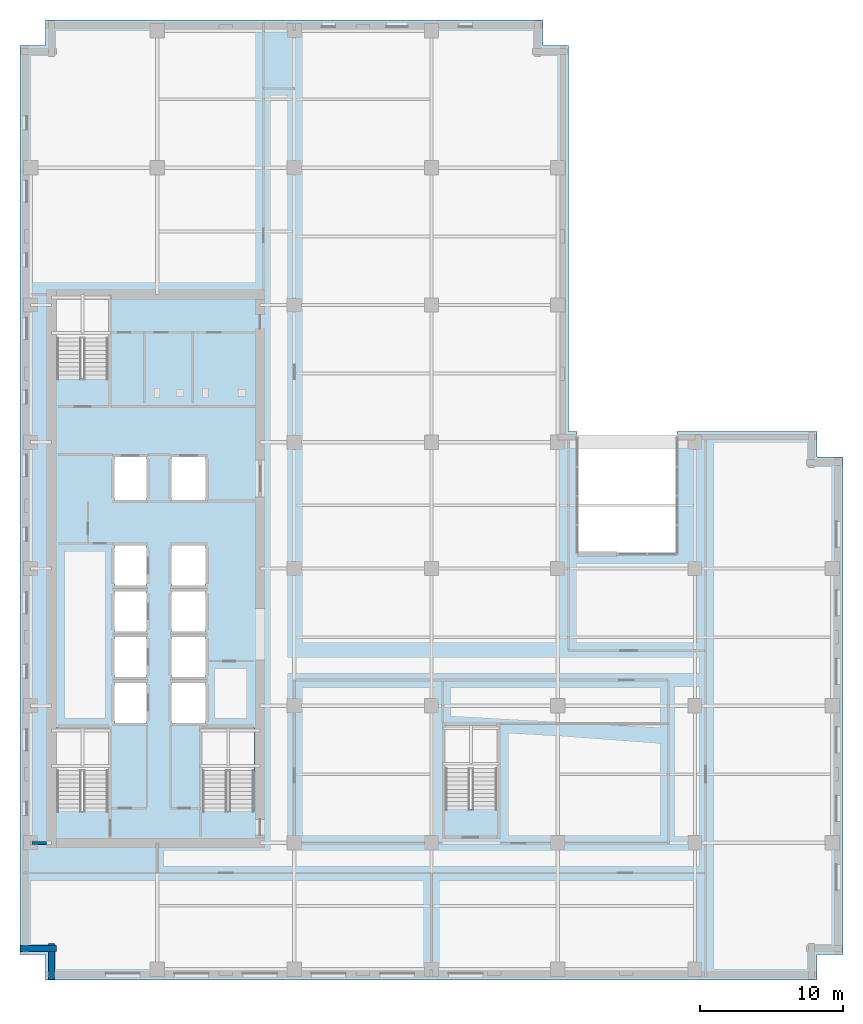
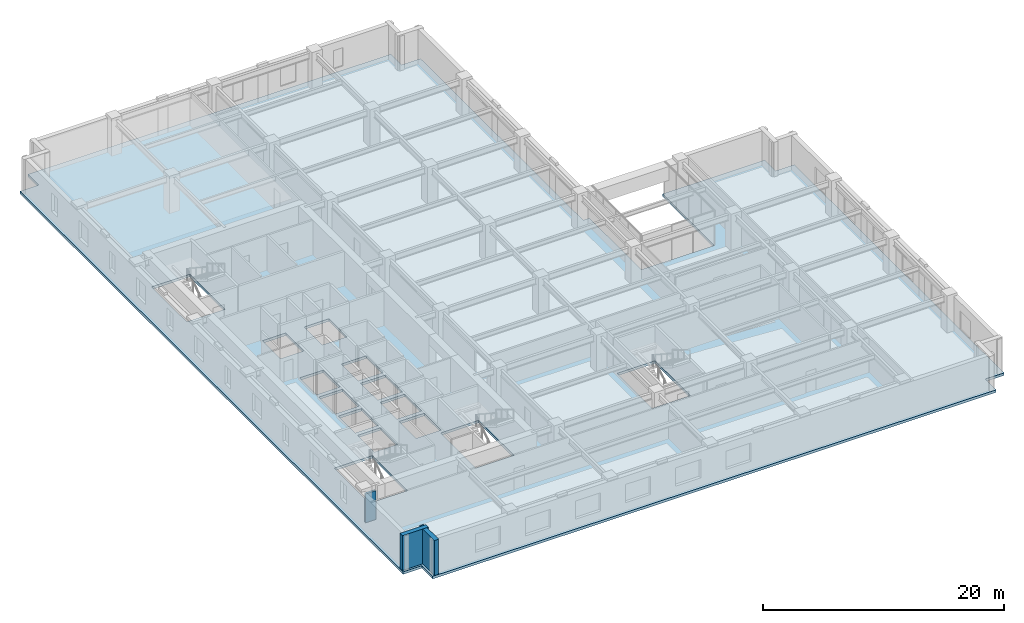
# One storey, part 3 of 14: 3 walls, 1 slab.
"""IFC4 building model written with IfcOpenShell, lengths in metres."""

from ifc_helpers import new_model, si_unit, direction, frame, frame_2d, origin, place, context, subcontext, project, spatial, polyline, rectangle, outline, extrude, material, layer, layer_set, type_object, element, save


model = new_model("IFC4")

# Units and contexts
model_context = context("Model", 3, precision=1e-05, world=origin(), true_north=direction((0.0, 1.0)))
body_context = subcontext(model_context, "Body", "Model", "MODEL_VIEW")
ifc_project = project(units=[si_unit("LENGTHUNIT", "METRE"), si_unit("AREAUNIT", "SQUARE_METRE"), si_unit("VOLUMEUNIT", "CUBIC_METRE"), si_unit("PLANEANGLEUNIT", "RADIAN"), si_unit("MASSUNIT", "GRAM", prefix="KILO")], contexts=[model_context])

# Site, building, storey
site_placement = place(None, origin())
site = spatial("IfcSite", under=ifc_project, at=site_placement, CompositionType="ELEMENT")
building_placement = place(site_placement, origin())
building = spatial("IfcBuilding", under=site, at=building_placement, Name="Norrvale University Quadrangle", CompositionType="ELEMENT")
storey_placement = place(building_placement, frame((0.0, 0.0, 116.60009765625)))
storey = spatial("IfcBuildingStorey", under=building, at=storey_placement, Name="L29", CompositionType="ELEMENT", Elevation=116.60009765625)

# Slab
ifc_material_1 = material(Name="Concrete C40/50", Category="concrete")
ifc_layer_1 = layer(ifc_material_1, 0.260009765625, Name="Concrete C40/50")
ifc_layer_set_1 = layer_set([ifc_layer_1], Name="Concrete C40/50")
slab_type = type_object("IfcSlabType", Name="Slab Tower Typ 260", PredefinedType="FLOOR", material=ifc_layer_set_1)
slab_placement = place(storey_placement, frame((0.0, 0.0, -0.260009765625)))
element("IfcSlab", 1, at=slab_placement, inside=storey, type_object=slab_type, Name="Tower L29 Floor Slab", PredefinedType="FLOOR", context=body_context, shape_type="SweptSolid", body=[
    extrude(outline(polyline([(55.800048828125, 38.39990234375), (55.800048828125, 36.60009765625), (57.60009765625, 36.60009765625), (57.60009765625, 1.800048828125), (55.800048828125, 1.800048828125), (55.800048828125, 0.0), (1.800048828125, 0.0), (1.800048828125, 1.800048828125), (0.0, 1.800048828125), (0.0, 65.39990234375), (1.800048828125, 65.39990234375), (1.800048828125, 67.199951171875), (36.60009765625, 67.199951171875), (36.60009765625, 65.39990234375), (38.39990234375, 65.39990234375), (38.39990234375, 38.39990234375), (39.0, 38.39990234375), (39.0, 29.800048828125), (46.0, 29.800048828125), (46.0, 38.39990234375), (55.800048828125, 38.39990234375)]), holes=[polyline([(2.550048828125, 11.81005859375), (6.199951171875, 11.81005859375), (6.199951171875, 17.64990234375), (2.550048828125, 17.64990234375), (2.550048828125, 11.81005859375)]), polyline([(2.550048828125, 42.110107421875), (6.199951171875, 42.110107421875), (6.199951171875, 47.949951171875), (2.550048828125, 47.949951171875), (2.550048828125, 42.110107421875)]), polyline([(12.75, 11.81005859375), (16.39990234375, 11.81005859375), (16.39990234375, 17.64990234375), (12.75, 17.64990234375), (12.75, 11.81005859375)]), polyline([(29.75, 11.9599609375), (33.39990234375, 11.9599609375), (33.39990234375, 17.800048828125), (29.75, 17.800048828125), (29.75, 11.9599609375)]), polyline([(6.60009765625, 18.0), (8.85009765625, 18.0), (8.85009765625, 20.800048828125), (6.60009765625, 20.800048828125), (6.60009765625, 18.0)]), polyline([(6.60009765625, 21.199951171875), (8.85009765625, 21.199951171875), (8.85009765625, 24.0), (6.60009765625, 24.0), (6.60009765625, 21.199951171875)]), polyline([(6.60009765625, 24.39990234375), (8.85009765625, 24.39990234375), (8.85009765625, 27.199951171875), (6.60009765625, 27.199951171875), (6.60009765625, 24.39990234375)]), polyline([(6.60009765625, 27.60009765625), (8.85009765625, 27.60009765625), (8.85009765625, 30.39990234375), (6.60009765625, 30.39990234375), (6.60009765625, 27.60009765625)]), polyline([(10.60009765625, 18.0), (13.0, 18.0), (13.0, 20.800048828125), (10.60009765625, 20.800048828125), (10.60009765625, 18.0)]), polyline([(10.60009765625, 21.199951171875), (13.0, 21.199951171875), (13.0, 24.0), (10.60009765625, 24.0), (10.60009765625, 21.199951171875)]), polyline([(10.60009765625, 24.39990234375), (13.0, 24.39990234375), (13.0, 27.199951171875), (10.60009765625, 27.199951171875), (10.60009765625, 24.39990234375)]), polyline([(10.60009765625, 27.60009765625), (13.0, 27.60009765625), (13.0, 30.39990234375), (10.60009765625, 30.39990234375), (10.60009765625, 27.60009765625)]), polyline([(6.60009765625, 33.60009765625), (8.85009765625, 33.60009765625), (8.85009765625, 36.60009765625), (6.60009765625, 36.60009765625), (6.60009765625, 33.60009765625)]), polyline([(10.60009765625, 33.60009765625), (13.0, 33.60009765625), (13.0, 36.60009765625), (10.60009765625, 36.60009765625), (10.60009765625, 33.60009765625)])]), origin(), (0.0, 0.0, 1.0), 0.260009765625),
])

# Walls
ifc_material_2 = material(Name="Buff Norman Clay Brick Masonry", Category="masonry")
ifc_layer_2 = layer(ifc_material_2, 0.419921875, Name="Buff Norman Clay Brick Masonry")
ifc_layer_set_2 = layer_set([ifc_layer_2], Name="Buff Norman Clay Brick Masonry")
wall_type_1 = type_object("IfcWallType", Name="Wall Buff Brick 420", PredefinedType="SOLIDWALL", material=ifc_layer_set_2)
for number, where, z_axis, x_axis, name in (
    (2, (0.0400390625, 2.18994140625, 0.0), (0.0, 0.0, 1.0), (1.0, 0.0, 0.0), "Exterior Brick Facade Wall L29-15.1"),
    (3, (2.18994140625, 2.5400390625, 0.0), (0.0, 0.0, 1.0), (0.0, -1.0, 0.0), "Exterior Brick Facade Wall L29-16.1"),
):
    element("IfcWall", number, at=place(storey_placement, frame(where, z_axis=z_axis, x_axis=x_axis)), inside=storey, type_object=wall_type_1, Name=name, PredefinedType="SOLIDWALL", context=body_context, shape_type="SweptSolid", body=[
        extrude(rectangle(XDim=2.5, YDim=0.419921875, at=frame_2d((1.25, 0.0))), origin(), (0.0, 0.0, 1.0), 3.539794921875),
    ])
ifc_material_3 = material(Name="Concrete Blockwork 20 MPa Rated Wall", Category="masonry")
ifc_layer_3 = layer(ifc_material_3, 0.199951171875, Name="Concrete Blockwork 20 MPa Rated Wall")
ifc_layer_set_3 = layer_set([ifc_layer_3], Name="Concrete Blockwork 20 MPa Rated Wall")
wall_type_2 = type_object("IfcWallType", Name="Wall Lobby 200", PredefinedType="SOLIDWALL", material=ifc_layer_set_3)
wall_placement = place(storey_placement, frame((0.85009765625, 9.60009765625, 0.0), z_axis=(0.0, 0.0, 1.0), x_axis=(1.0, 0.0, 0.0)))
element("IfcWall", 4, at=wall_placement, inside=storey, type_object=wall_type_2, Name="Interior Partition WL-L29-CWRET-S", PredefinedType="SOLIDWALL", context=body_context, shape_type="SweptSolid", body=[
    extrude(rectangle(XDim=0.994873046875, YDim=0.199951171875, at=frame_2d((0.49755859375, 0.0))), origin(), (0.0, 0.0, 1.0), 2.9228515625),
])

save(model, "model.ifc")
